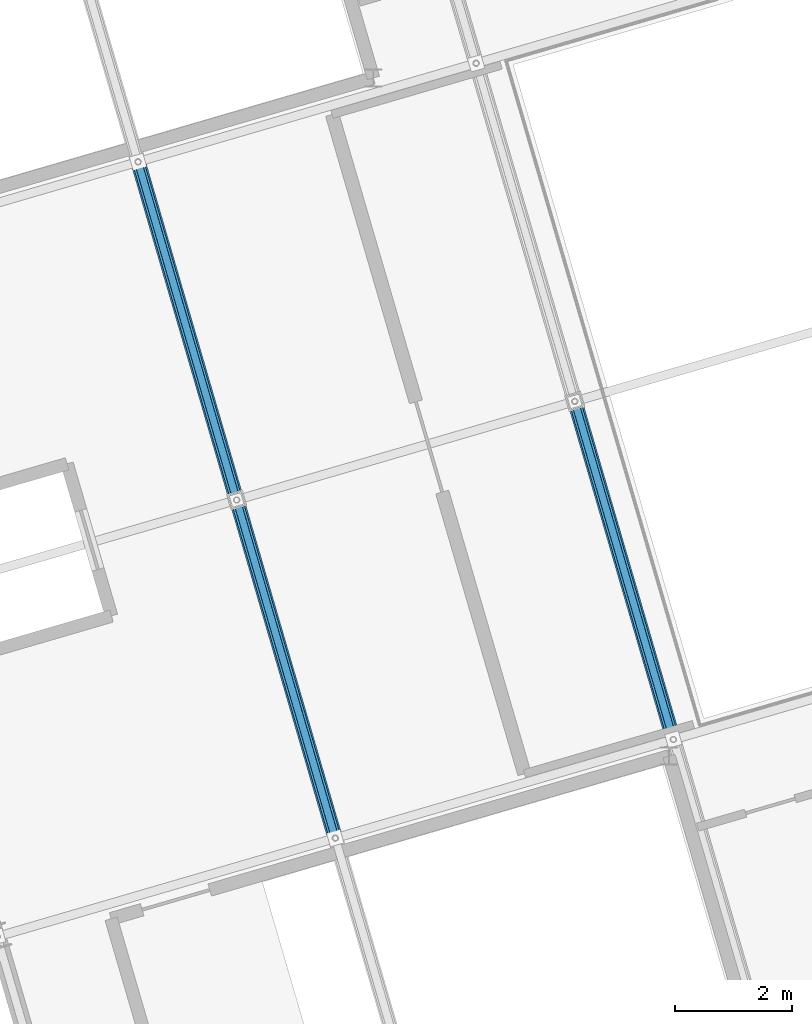
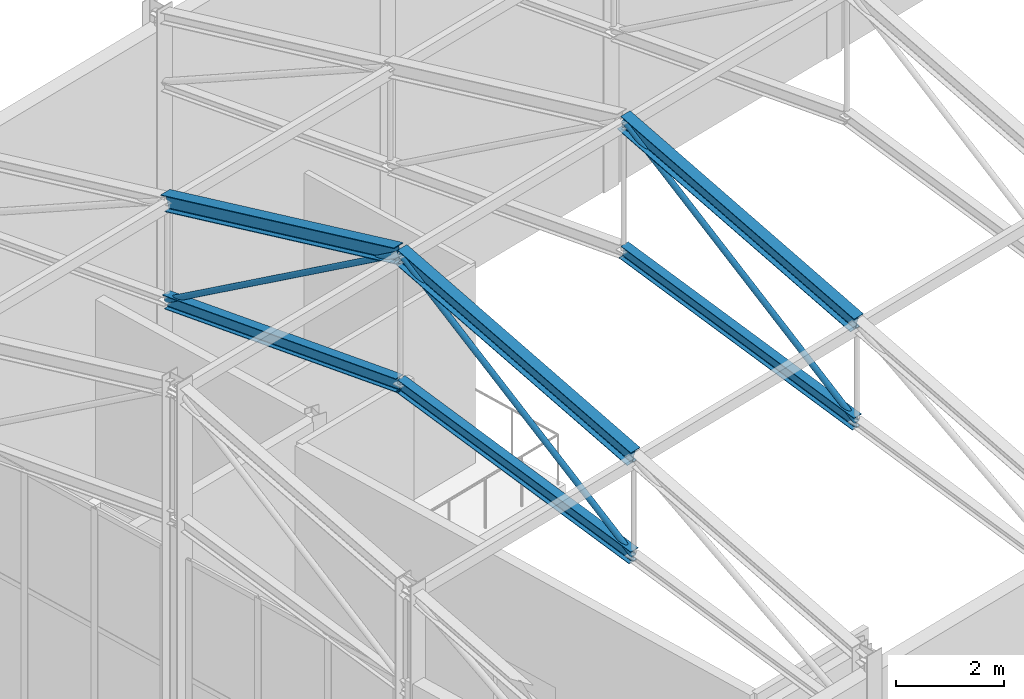
# One storey, part 142 of 248: 9 members.
"""IFC4 building model written with IfcOpenShell, lengths in metres."""

from ifc_helpers import new_model, si_unit, direction, frame, origin, origin_2d, place, context, subcontext, project, spatial, hollow_circle, i_section, extrude, material, material_profile, profile_set, type_object, element, save


model = new_model("IFC4")

# Units and contexts
model_context = context("Model", 3, precision=1e-05, world=origin(), true_north=direction((0.0, 1.0)))
body_context = subcontext(model_context, "Body", "Model", "MODEL_VIEW")
ifc_project = project(units=[si_unit("LENGTHUNIT", "METRE"), si_unit("AREAUNIT", "SQUARE_METRE"), si_unit("VOLUMEUNIT", "CUBIC_METRE"), si_unit("PLANEANGLEUNIT", "RADIAN"), si_unit("MASSUNIT", "GRAM", prefix="KILO")], contexts=[model_context])

# Site, building, storey
site_placement = place(None, origin())
site = spatial("IfcSite", under=ifc_project, at=site_placement, CompositionType="ELEMENT")
building_placement = place(site_placement, origin())
building = spatial("IfcBuilding", under=site, at=building_placement, Name="Canggui Botanical Conservatory", CompositionType="ELEMENT")
storey_placement = place(building_placement, frame((0.0, 0.0, 5.39990234375)))
storey = spatial("IfcBuildingStorey", under=building, at=storey_placement, Name="L02", CompositionType="ELEMENT", Elevation=5.39990234375)

# Members
ifc_material = material(Name="Steel Q355B", Category="steel")
ifc_material_profile_1 = material_profile(ifc_material, i_section(OverallWidth=0.25, OverallDepth=0.35009765625, WebThickness=0.009033203125, FlangeThickness=0.013916015625, FilletRadius=0.02001953125, at=origin_2d()), Name="HM 350x250x9x14")
ifc_profile_set_1 = profile_set([ifc_material_profile_1], Name="Steel Q355B")
member_type_1 = type_object("IfcMemberType", Name="MEM-TC03", PredefinedType="CHORD", material=ifc_profile_set_1)
member_1_placement = place(storey_placement, frame((70.080078125, 97.43994140625, 11.650146484375), z_axis=(-0.269421810075, 0.923636844681, 0.27259286015), x_axis=(-0.959992252312, -0.280026562133, 0.0)))
element("IfcMember", 1, at=member_1_placement, inside=storey, type_object=member_type_1, Name="Auditorium Truss AT-02 Top Chord 2", PredefinedType="CHORD", context=body_context, shape_type="SweptSolid", body=[
    extrude(i_section(OverallWidth=0.25, OverallDepth=0.35009765625, WebThickness=0.009033203125, FlangeThickness=0.013916015625, FilletRadius=0.02001953125, at=origin_2d()), origin(), (0.0, 0.0, 1.0), 6.236328125),
])
for number, where, z_axis, x_axis, name in (
    (2, (68.39990234375, 103.199951171875, 13.35009765625), (-0.269385502469, 0.923646586216, -0.272595735168), (-0.960003190047, -0.279989062464, 0.0), "Auditorium Truss AT-02 Top Chord 3"),
    (3, (75.840087890625, 99.1201171875, 11.650146484375), (-0.269431552485, 0.923631093611, 0.272602717227), (-0.959989061447, -0.280037500885, 0.0), "Auditorium Truss AT-03 Top Chord 2"),
):
    element("IfcMember", number, at=place(storey_placement, frame(where, z_axis=z_axis, x_axis=x_axis)), inside=storey, type_object=member_type_1, Name=name, PredefinedType="CHORD", context=body_context, shape_type="SweptSolid", body=[
        extrude(i_section(OverallWidth=0.25, OverallDepth=0.35009765625, WebThickness=0.009033203125, FlangeThickness=0.013916015625, FilletRadius=0.02001953125, at=origin_2d()), origin(), (0.0, 0.0, 1.0), 6.236083984375),
    ])
ifc_material_profile_2 = material_profile(ifc_material, i_section(OverallWidth=0.199951171875, OverallDepth=0.300048828125, WebThickness=0.008056640625, FlangeThickness=0.011962890625, FilletRadius=0.01806640625, at=origin_2d()), Name="HM 300x200x8x12")
ifc_profile_set_2 = profile_set([ifc_material_profile_2], Name="Steel Q355B")
member_type_2 = type_object("IfcMemberType", Name="MEM-TC04", PredefinedType="CHORD", material=ifc_profile_set_2)
for number, where, z_axis, x_axis, name in (
    (4, (70.080078125, 97.43994140625, 9.400146484375), (-0.276216572305, 0.946930774542, 0.164397425191), (-0.959992252312, -0.280026562133, 0.0), "Auditorium Truss AT-02 Bottom Chord 2"),
    (5, (68.39990234375, 103.199951171875, 10.400146484375), (-0.276179497805, 0.946941271868, -0.16439924764), (-0.960003190047, -0.279989062464, 0.0), "Auditorium Truss AT-02 Bottom Chord 3"),
):
    element("IfcMember", number, at=place(storey_placement, frame(where, z_axis=z_axis, x_axis=x_axis)), inside=storey, type_object=member_type_2, Name=name, PredefinedType="CHORD", context=body_context, shape_type="SweptSolid", body=[
        extrude(i_section(OverallWidth=0.199951171875, OverallDepth=0.300048828125, WebThickness=0.008056640625, FlangeThickness=0.011962890625, FilletRadius=0.01806640625, at=origin_2d()), origin(), (0.0, 0.0, 1.0), 6.082763671875),
    ])
member_2_placement = place(storey_placement, frame((75.840087890625, 99.1201171875, 9.400146484375), z_axis=(-0.276227070596, 0.94692662736, 0.164403673519), x_axis=(-0.959989061447, -0.280037500885, 0.0)))
element("IfcMember", 6, at=member_2_placement, inside=storey, type_object=member_type_2, Name="Auditorium Truss AT-03 Bottom Chord 2", PredefinedType="CHORD", context=body_context, shape_type="SweptSolid", body=[
    extrude(i_section(OverallWidth=0.199951171875, OverallDepth=0.300048828125, WebThickness=0.008056640625, FlangeThickness=0.011962890625, FilletRadius=0.01806640625, at=origin_2d()), origin(), (0.0, 0.0, 1.0), 6.08251953125),
])
ifc_material_profile_3 = material_profile(ifc_material, hollow_circle(Radius=0.0634765625, WallThickness=0.006103515625, at=origin_2d()), Name="CHS 127x6")
ifc_profile_set_3 = profile_set([ifc_material_profile_3], Name="Steel Q355B")
member_type_3 = type_object("IfcMemberType", Name="MEM-TW02", PredefinedType="BRACE", material=ifc_profile_set_3)
member_3_placement = place(storey_placement, frame((70.080078125, 97.43994140625, 9.400146484375), z_axis=(-0.233893424927, 0.80183777598, 0.549863662), x_axis=(-0.959992252312, -0.280026562133, 0.0)))
element("IfcMember", 7, at=member_3_placement, inside=storey, type_object=member_type_3, Name="Auditorium Truss AT-02 Web Diagonal 2", PredefinedType="BRACE", context=body_context, shape_type="SweptSolid", body=[
    extrude(hollow_circle(Radius=0.0634765625, WallThickness=0.006103515625, at=origin_2d()), origin(), (0.0, 0.0, 1.0), 7.18359375),
])
for number, where, z_axis, x_axis, name in (
    (8, (66.719970703125, 108.9599609375, 9.400146484375), (0.233861297543, -0.801844149531, 0.54986803269), (0.960003190047, 0.279989062464, 0.0), "Auditorium Truss AT-02 Web Diagonal 3"),
    (9, (75.840087890625, 99.1201171875, 9.400146484375), (-0.233899798991, 0.80182564048, 0.549878646886), (-0.959989061447, -0.280037500885, 0.0), "Auditorium Truss AT-03 Web Diagonal 2"),
):
    element("IfcMember", number, at=place(storey_placement, frame(where, z_axis=z_axis, x_axis=x_axis)), inside=storey, type_object=member_type_3, Name=name, PredefinedType="BRACE", context=body_context, shape_type="SweptSolid", body=[
        extrude(hollow_circle(Radius=0.0634765625, WallThickness=0.006103515625, at=origin_2d()), origin(), (0.0, 0.0, 1.0), 7.183349609375),
    ])

save(model, "model.ifc")
